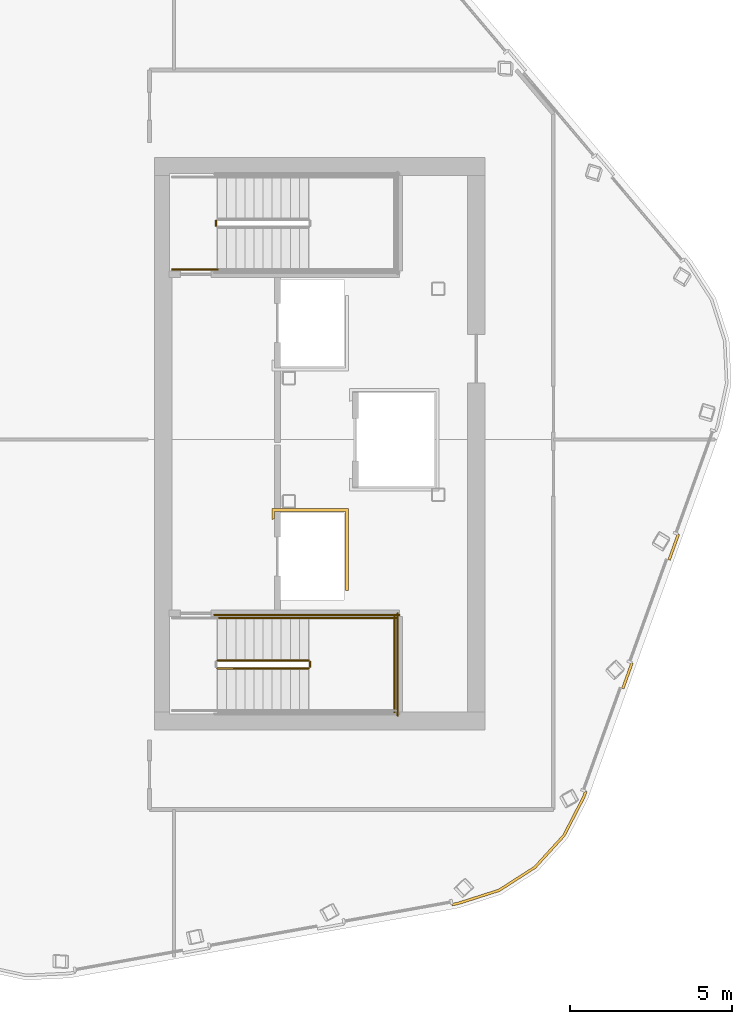
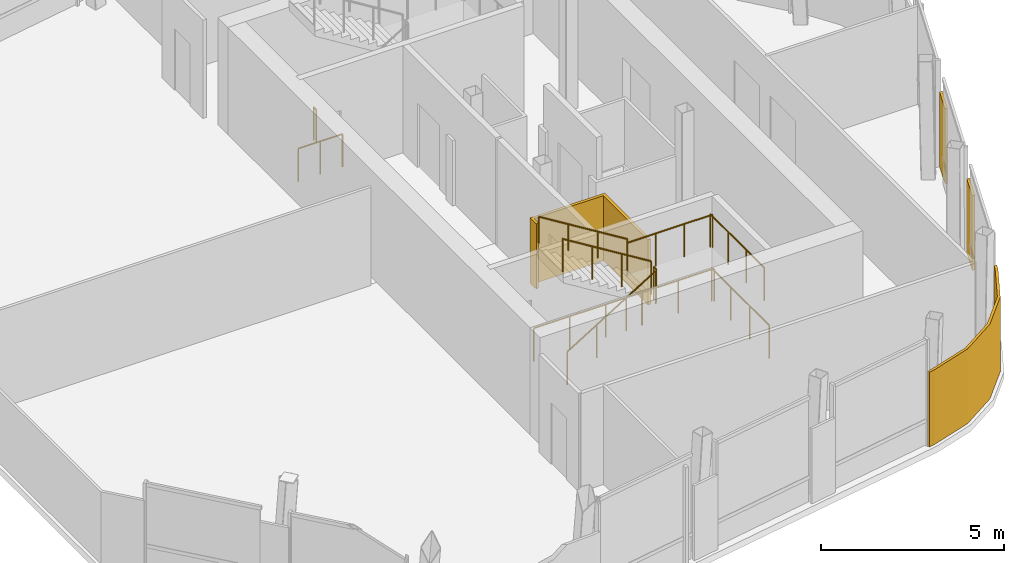
# One storey, part 7 of 8: 10 railings, 4 coverings.
"""IFC4 building model written with IfcOpenShell, lengths in metres."""

from ifc_helpers import new_model, si_unit, direction, frame, origin, origin_2d, place, context, subcontext, project, spatial, polyline, circle, outline, extrude, material, layer, layer_set, type_object, element, save


model = new_model("IFC4")

# Units and contexts
model_context = context("Model", 3, precision=1e-05, world=origin(), true_north=direction((0.0, 1.0)))
body_context = subcontext(model_context, "Body", "Model", "MODEL_VIEW")
ifc_project = project(units=[si_unit("LENGTHUNIT", "METRE"), si_unit("AREAUNIT", "SQUARE_METRE"), si_unit("VOLUMEUNIT", "CUBIC_METRE"), si_unit("PLANEANGLEUNIT", "RADIAN"), si_unit("MASSUNIT", "GRAM", prefix="KILO")], contexts=[model_context])

# Site, building, storey
site_placement = place(None, origin())
site = spatial("IfcSite", under=ifc_project, at=site_placement, CompositionType="ELEMENT")
building_placement = place(site_placement, origin())
building = spatial("IfcBuilding", under=site, at=building_placement, Name="Valkerne Bourse Tower", CompositionType="ELEMENT")
storey_placement = place(building_placement, frame((0.0, 0.0, 326.800048828125)))
storey = spatial("IfcBuildingStorey", under=building, at=storey_placement, Name="L83", CompositionType="ELEMENT", Elevation=326.800048828125)

# Coverings
ifc_material_1 = material(Name="Bronze Anodised Aluminium AA 6063-T6", Category="aluminium")
ifc_layer_1 = layer(ifc_material_1, 0.06005859375)
ifc_layer_set_1 = layer_set([ifc_layer_1], Name="Bronze Anodised Aluminium AA 6063-T6")
covering_type_1 = type_object("IfcCoveringType", Name="COV-CRN-ALUM", PredefinedType="CLADDING", material=ifc_layer_set_1)
covering_1_placement = place(storey_placement, origin())
element("IfcCovering", 1, at=covering_1_placement, inside=storey, type_object=covering_type_1, Name="L83 Wind-Shaped Corner Aluminium Cladding 08", PredefinedType="CLADDING", context=body_context, shape_type="SweptSolid", body=[
    extrude(outline(polyline([(62.10693359375, 23.28125), (62.031494140625, 23.30810546875), (62.316162109375, 24.0986328125), (62.391357421875, 24.071533203125), (62.10693359375, 23.28125)])), origin(), (0.0, 0.0, 1.0), 2.5),
])
covering_2_placement = place(storey_placement, origin())
element("IfcCovering", 2, at=covering_2_placement, inside=storey, type_object=covering_type_1, Name="L83 Wind-Shaped Corner Aluminium Cladding 09", PredefinedType="CLADDING", context=body_context, shape_type="SweptSolid", body=[
    extrude(outline(polyline([(60.68017578125, 19.318115234375), (60.60498046875, 19.34521484375), (60.889404296875, 20.135498046875), (60.964599609375, 20.1083984375), (60.68017578125, 19.318115234375)])), origin(), (0.0, 0.0, 1.0), 2.5),
])
covering_3_placement = place(storey_placement, origin())
element("IfcCovering", 3, at=covering_3_placement, inside=storey, type_object=covering_type_1, Name="L83 Wind-Shaped Corner Aluminium Cladding 10", PredefinedType="CLADDING", context=body_context, shape_type="SweptSolid", body=[
    extrude(outline(polyline([(59.472412109375, 15.963623046875), (58.85888671875, 14.77490234375), (57.962890625, 13.790283203125), (56.843017578125, 13.0712890625), (55.568359375, 12.66455078125), (55.378173828125, 12.63037109375), (55.364013671875, 12.708984375), (55.549072265625, 12.742431640625), (56.80859375, 13.144287109375), (57.910888671875, 13.85205078125), (58.79248046875, 14.821044921875), (59.39892578125, 15.99560546875), (59.462646484375, 16.172607421875), (59.537841796875, 16.1455078125), (59.472412109375, 15.963623046875)])), origin(), (0.0, 0.0, 1.0), 2.5),
])
ifc_material_2 = material(Name="Gypsum Shaftwall Liner Board", Category="gypsum")
ifc_layer_2 = layer(ifc_material_2, 0.080078125)
ifc_layer_set_2 = layer_set([ifc_layer_2], Name="Gypsum Shaftwall Liner Board")
covering_type_2 = type_object("IfcCoveringType", Name="COV-SHF-CLAD", PredefinedType="CLADDING", material=ifc_layer_set_2)
covering_4_placement = place(storey_placement, origin())
element("IfcCovering", 4, at=covering_4_placement, inside=storey, type_object=covering_type_2, Name="L83 Hoistway & Riser Shaftwall Liner 01", PredefinedType="CLADDING", context=body_context, shape_type="SweptSolid", body=[
    extrude(outline(polyline([(52.090087890625, 22.35009765625), (52.090087890625, 24.7900390625), (49.909912109375, 24.7900390625), (49.909912109375, 24.560791015625), (49.869384765625, 24.550537109375), (49.827880859375, 24.53564453125), (49.820068359375, 24.531982421875), (49.820068359375, 24.8798828125), (52.179931640625, 24.8798828125), (52.179931640625, 22.35009765625), (52.090087890625, 22.35009765625)])), origin(), (0.0, 0.0, 1.0), 2.179931640625),
])

# Railings
ifc_material_3 = material(Name="Galvanised Painted Steel", Category="steel")
railing_type_1 = type_object("IfcRailingType", Name="RLG-ST-GUARD-1120", PredefinedType="GUARDRAIL", material=ifc_material_3)
railing_1_placement = place(storey_placement, frame((48.14990234375, 19.949951171875, 0.172607421875)))
element("IfcRailing", 5, at=railing_1_placement, inside=storey, type_object=railing_type_1, Name="L83 ST-1 stair guard 1", PredefinedType="GUARDRAIL", context=body_context, shape_type="SweptSolid", body=[
    extrude(circle(Radius=0.02392578125, at=origin_2d()), frame((0.0, 0.0, 1.09619140625), z_axis=(0.851089632645, 0.0, 0.525020415988), x_axis=(0.0, 1.0, 0.0)), (0.0, 0.0, 1.0), 3.2900390625),
    extrude(circle(Radius=0.02099609375, at=origin_2d()), origin(), (0.0, 0.0, 1.0), 1.072021484375),
    extrude(circle(Radius=0.02099609375, at=origin_2d()), frame((0.933349609375, 0.0, 0.57568359375)), (0.0, 0.0, 1.0), 1.072021484375),
    extrude(circle(Radius=0.02099609375, at=origin_2d()), frame((1.86669921875, 0.0, 1.151611328125)), (0.0, 0.0, 1.0), 1.072021484375),
    extrude(circle(Radius=0.02099609375, at=origin_2d()), frame((2.800048828125, 0.0, 1.727294921875)), (0.0, 0.0, 1.0), 1.072021484375),
])
railing_2_placement = place(storey_placement, frame((51.0, 20.0, 1.89990234375)))
element("IfcRailing", 6, at=railing_2_placement, inside=storey, type_object=railing_type_1, Name="L83 ST-1 stair guard 2", PredefinedType="GUARDRAIL", context=body_context, shape_type="SweptSolid", body=[
    extrude(circle(Radius=0.02392578125, at=origin_2d()), frame((0.0, 0.0, 1.09619140625), z_axis=(0.0, 1.0, 0.0), x_axis=(-1.0, 0.0, 0.0)), (0.0, 0.0, 1.0), 0.14990234375),
    extrude(circle(Radius=0.02099609375, at=origin_2d()), origin(), (0.0, 0.0, 1.0), 1.072021484375),
    extrude(circle(Radius=0.02099609375, at=origin_2d()), frame((0.0, 0.14990234375, 0.0)), (0.0, 0.0, 1.0), 1.072021484375),
])
railing_3_placement = place(storey_placement, frame((50.949951171875, 21.5, 1.89990234375)))
element("IfcRailing", 7, at=railing_3_placement, inside=storey, type_object=railing_type_1, Name="L83 ST-1 stair guard 4", PredefinedType="GUARDRAIL", context=body_context, shape_type="SweptSolid", body=[
    extrude(circle(Radius=0.02392578125, at=origin_2d()), frame((0.0, 0.0, 1.09619140625), z_axis=(1.0, 0.0, 0.0), x_axis=(0.0, 1.0, 0.0)), (0.0, 0.0, 1.0), 2.699951171875),
    extrude(circle(Radius=0.02099609375, at=origin_2d()), origin(), (0.0, 0.0, 1.0), 1.072021484375),
    extrude(circle(Radius=0.02099609375, at=origin_2d()), frame((0.89990234375, 0.0, 0.0)), (0.0, 0.0, 1.0), 1.072021484375),
    extrude(circle(Radius=0.02099609375, at=origin_2d()), frame((1.800048828125, 0.0, 0.0)), (0.0, 0.0, 1.0), 1.072021484375),
    extrude(circle(Radius=0.02099609375, at=origin_2d()), frame((2.699951171875, 0.0, 0.0)), (0.0, 0.0, 1.0), 1.072021484375),
])
railing_4_placement = place(storey_placement, frame((53.60009765625, 18.60009765625, 1.89990234375)))
element("IfcRailing", 8, at=railing_4_placement, inside=storey, type_object=railing_type_1, Name="L83 ST-1 stair guard 5", PredefinedType="GUARDRAIL", context=body_context, shape_type="SweptSolid", body=[
    extrude(circle(Radius=0.02392578125, at=origin_2d()), frame((0.0, 0.0, 1.09619140625), z_axis=(0.0, 1.0, 0.0), x_axis=(-1.0, 0.0, 0.0)), (0.0, 0.0, 1.0), 2.949951171875),
    extrude(circle(Radius=0.02099609375, at=origin_2d()), origin(), (0.0, 0.0, 1.0), 1.072021484375),
    extrude(circle(Radius=0.02099609375, at=origin_2d()), frame((0.0, 0.9833984375, 0.0)), (0.0, 0.0, 1.0), 1.072021484375),
    extrude(circle(Radius=0.02099609375, at=origin_2d()), frame((0.0, 1.966552734375, 0.0)), (0.0, 0.0, 1.0), 1.072021484375),
    extrude(circle(Radius=0.02099609375, at=origin_2d()), frame((0.0, 2.949951171875, 0.0)), (0.0, 0.0, 1.0), 1.072021484375),
])
railing_5_placement = place(storey_placement, frame((50.949951171875, 20.199951171875, 2.07275390625)))
element("IfcRailing", 9, at=railing_5_placement, inside=storey, type_object=railing_type_1, Name="L83 ST-1 stair guard 6", PredefinedType="GUARDRAIL", context=body_context, shape_type="SweptSolid", body=[
    extrude(circle(Radius=0.02392578125, at=origin_2d()), frame((0.0, 0.0, 1.09619140625), z_axis=(-0.851089632645, 0.0, 0.525020415988), x_axis=(0.0, -1.0, 0.0)), (0.0, 0.0, 1.0), 3.2900390625),
    extrude(circle(Radius=0.02099609375, at=origin_2d()), origin(), (0.0, 0.0, 1.0), 1.072021484375),
    extrude(circle(Radius=0.02099609375, at=origin_2d()), frame((-0.933349609375, 0.0, 0.57568359375)), (0.0, 0.0, 1.0), 1.072021484375),
    extrude(circle(Radius=0.02099609375, at=origin_2d()), frame((-1.86669921875, 0.0, 1.151611328125)), (0.0, 0.0, 1.0), 1.072021484375),
    extrude(circle(Radius=0.02099609375, at=origin_2d()), frame((-2.800048828125, 0.0, 1.727294921875)), (0.0, 0.0, 1.0), 1.072021484375),
])
railing_6_placement = place(storey_placement, frame((48.050048828125, 21.60009765625, 0.0)))
element("IfcRailing", 10, at=railing_6_placement, inside=storey, type_object=railing_type_1, Name="L83 ST-1 stair guard 11", PredefinedType="GUARDRAIL", context=body_context, shape_type="SweptSolid", body=[
    extrude(circle(Radius=0.02392578125, at=origin_2d()), frame((0.0, 0.0, 1.09619140625), z_axis=(1.0, 0.0, 0.0), x_axis=(0.0, 1.0, 0.0)), (0.0, 0.0, 1.0), 5.699951171875),
    extrude(circle(Radius=0.02099609375, at=origin_2d()), origin(), (0.0, 0.0, 1.0), 1.072021484375),
    extrude(circle(Radius=0.02099609375, at=origin_2d()), frame((1.139892578125, 0.0, 0.0)), (0.0, 0.0, 1.0), 1.072021484375),
    extrude(circle(Radius=0.02099609375, at=origin_2d()), frame((2.280029296875, 0.0, 0.0)), (0.0, 0.0, 1.0), 1.072021484375),
    extrude(circle(Radius=0.02099609375, at=origin_2d()), frame((3.419921875, 0.0, 0.0)), (0.0, 0.0, 1.0), 1.072021484375),
    extrude(circle(Radius=0.02099609375, at=origin_2d()), frame((4.56005859375, 0.0, 0.0)), (0.0, 0.0, 1.0), 1.072021484375),
    extrude(circle(Radius=0.02099609375, at=origin_2d()), frame((5.699951171875, 0.0, 0.0)), (0.0, 0.0, 1.0), 1.072021484375),
])
railing_7_placement = place(storey_placement, frame((53.699951171875, 18.5, 0.0)))
element("IfcRailing", 11, at=railing_7_placement, inside=storey, type_object=railing_type_1, Name="L83 ST-1 stair guard 12", PredefinedType="GUARDRAIL", context=body_context, shape_type="SweptSolid", body=[
    extrude(circle(Radius=0.02392578125, at=origin_2d()), frame((0.0, 0.0, 1.09619140625), z_axis=(0.0, 1.0, 0.0), x_axis=(-1.0, 0.0, 0.0)), (0.0, 0.0, 1.0), 3.14990234375),
    extrude(circle(Radius=0.02099609375, at=origin_2d()), origin(), (0.0, 0.0, 1.0), 1.072021484375),
    extrude(circle(Radius=0.02099609375, at=origin_2d()), frame((0.0, 1.050048828125, 0.0)), (0.0, 0.0, 1.0), 1.072021484375),
    extrude(circle(Radius=0.02099609375, at=origin_2d()), frame((0.0, 2.099853515625, 0.0)), (0.0, 0.0, 1.0), 1.072021484375),
    extrude(circle(Radius=0.02099609375, at=origin_2d()), frame((0.0, 3.14990234375, 0.0)), (0.0, 0.0, 1.0), 1.072021484375),
])
railing_8_placement = place(storey_placement, frame((48.10009765625, 33.60009765625, 0.0)))
element("IfcRailing", 12, at=railing_8_placement, inside=storey, type_object=railing_type_1, Name="L83 ST-2 stair guard 7", PredefinedType="GUARDRAIL", context=body_context, shape_type="SweptSolid", body=[
    extrude(circle(Radius=0.02392578125, at=origin_2d()), frame((0.0, 0.0, 1.09619140625), z_axis=(0.0, 1.0, 0.0), x_axis=(-1.0, 0.0, 0.0)), (0.0, 0.0, 1.0), 0.14990234375),
    extrude(circle(Radius=0.02099609375, at=origin_2d()), origin(), (0.0, 0.0, 1.0), 1.072021484375),
    extrude(circle(Radius=0.02099609375, at=origin_2d()), frame((0.0, 0.14990234375, 0.0)), (0.0, 0.0, 1.0), 1.072021484375),
])
railing_9_placement = place(storey_placement, frame((46.75, 32.25, 0.0)))
element("IfcRailing", 13, at=railing_9_placement, inside=storey, type_object=railing_type_1, Name="L83 ST-2 stair guard 8", PredefinedType="GUARDRAIL", context=body_context, shape_type="SweptSolid", body=[
    extrude(circle(Radius=0.02392578125, at=origin_2d()), frame((0.0, 0.0, 1.09619140625), z_axis=(1.0, 0.0, 0.0), x_axis=(0.0, 1.0, 0.0)), (0.0, 0.0, 1.0), 1.39990234375),
    extrude(circle(Radius=0.02099609375, at=origin_2d()), origin(), (0.0, 0.0, 1.0), 1.072021484375),
    extrude(circle(Radius=0.02099609375, at=origin_2d()), frame((0.699951171875, 0.0, 0.0)), (0.0, 0.0, 1.0), 1.072021484375),
    extrude(circle(Radius=0.02099609375, at=origin_2d()), frame((1.39990234375, 0.0, 0.0)), (0.0, 0.0, 1.0), 1.072021484375),
])
ifc_material_4 = material(Name="Stainless Steel AISI 316", Category="steel")
railing_type_2 = type_object("IfcRailingType", Name="RLG-ST-HANDRAIL-900", PredefinedType="HANDRAIL", material=ifc_material_4)
railing_10_placement = place(storey_placement, frame((50.949951171875, 21.5, 2.245361328125)))
element("IfcRailing", 14, at=railing_10_placement, inside=storey, type_object=railing_type_2, Name="L83 ST-1 stair handrail 2", PredefinedType="HANDRAIL", context=body_context, shape_type="SweptSolid", body=[
    extrude(circle(Radius=0.02392578125, at=origin_2d()), frame((0.0, 0.0, 0.8759765625), z_axis=(-0.851089632645, 0.0, 0.525020415988), x_axis=(0.0, -1.0, 0.0)), (0.0, 0.0, 1.0), 3.2900390625),
    extrude(circle(Radius=0.02099609375, at=origin_2d()), origin(), (0.0, 0.0, 1.0), 0.851806640625),
    extrude(circle(Radius=0.02099609375, at=origin_2d()), frame((-0.933349609375, 0.0, 0.57568359375)), (0.0, 0.0, 1.0), 0.851806640625),
    extrude(circle(Radius=0.02099609375, at=origin_2d()), frame((-1.86669921875, 0.0, 1.151611328125)), (0.0, 0.0, 1.0), 0.851806640625),
    extrude(circle(Radius=0.02099609375, at=origin_2d()), frame((-2.800048828125, 0.0, 1.727294921875)), (0.0, 0.0, 1.0), 0.851806640625),
])

save(model, "model.ifc")
